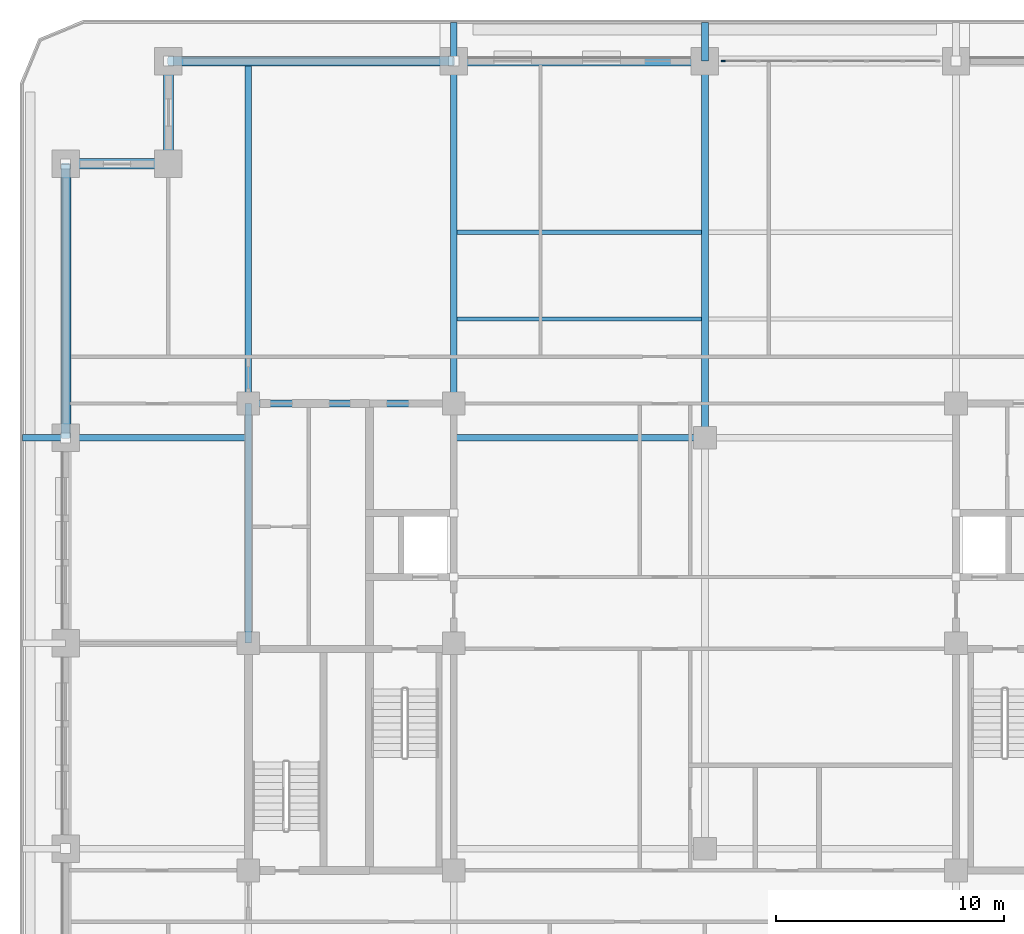
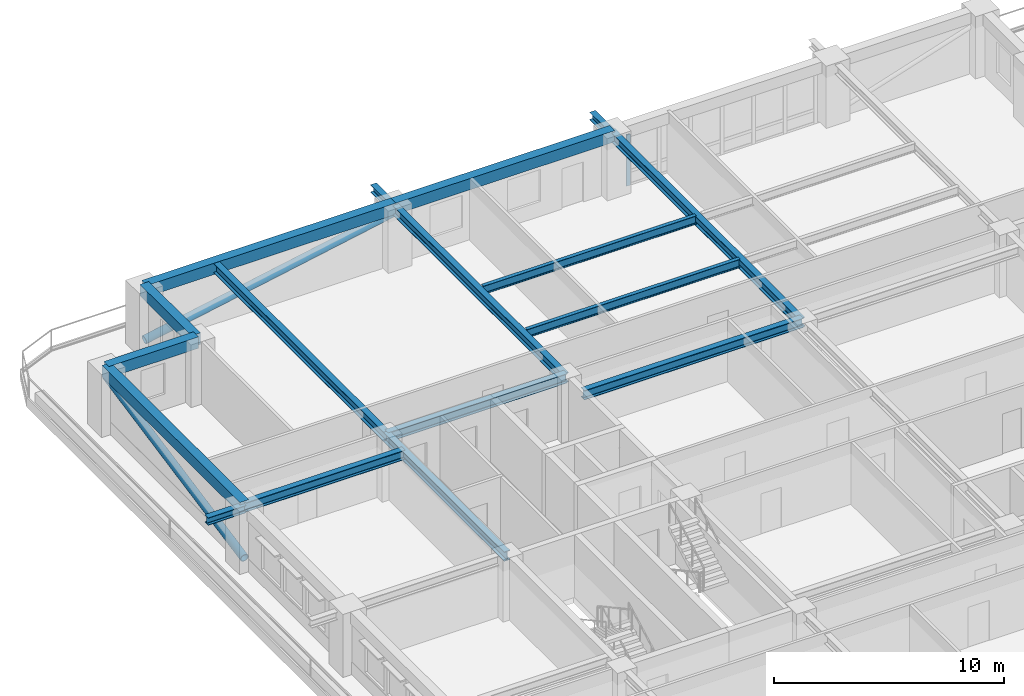
# One storey, part 5 of 20: 17 beams, 3 members, 1 element without a shape of its own.
"""IFC4 building model written with IfcOpenShell, lengths in metres."""

from ifc_helpers import new_model, si_unit, direction, frame, origin, origin_2d, place, context, subcontext, project, spatial, rectangle, hollow_circle, i_section, extrude, material, material_profile, profile_set, type_object, element, aggregate, save


model = new_model("IFC4")

# Units and contexts
model_context = context("Model", 3, precision=1e-05, world=origin(), true_north=direction((0.0, 1.0)))
body_context = subcontext(model_context, "Body", "Model", "MODEL_VIEW")
ifc_project = project(units=[si_unit("LENGTHUNIT", "METRE"), si_unit("AREAUNIT", "SQUARE_METRE"), si_unit("VOLUMEUNIT", "CUBIC_METRE"), si_unit("PLANEANGLEUNIT", "RADIAN"), si_unit("MASSUNIT", "GRAM", prefix="KILO")], contexts=[model_context])

# Site, building, storey
site_placement = place(None, origin())
site = spatial("IfcSite", under=ifc_project, at=site_placement, CompositionType="ELEMENT")
building_placement = place(site_placement, origin())
building = spatial("IfcBuilding", under=site, at=building_placement, Name="Zulmaris Gate Convention Tower", CompositionType="ELEMENT")
storey_placement = place(building_placement, frame((0.0, 0.0, 142.769775390625)))
storey = spatial("IfcBuildingStorey", under=building, at=storey_placement, Name="L36", CompositionType="ELEMENT", Elevation=142.769775390625)

# Beams
ifc_material_1 = material(Name="Steel S355", Category="steel")
ifc_material_profile_1 = material_profile(ifc_material_1, i_section(OverallWidth=0.300048828125, OverallDepth=0.39990234375, WebThickness=0.013427734375, FlangeThickness=0.02392578125, FilletRadius=0.027099609375, at=origin_2d()), Name="HEB 400")
ifc_profile_set_1 = profile_set([ifc_material_profile_1], Name="Steel S355")
beam_type_1 = type_object("IfcBeamType", Name="BM-HEB400", PredefinedType="BEAM", material=ifc_profile_set_1)
for number, where, z_axis, x_axis, name in (
    (1, (-11.0, 25.5, 2.97998046875), (0.0, 1.0, 0.0), (-1.0, 0.0, 0.0), "L36 Beam TBRK-L36-N--11"),
    (2, (0.0, 25.5, 2.97998046875), (0.0, 1.0, 0.0), (-1.0, 0.0, 0.0), "L36 Beam TBRK-L36-N-+0"),
):
    element("IfcBeam", number, at=place(storey_placement, frame(where, z_axis=z_axis, x_axis=x_axis)), inside=storey, type_object=beam_type_1, Name=name, PredefinedType="BEAM", context=body_context, shape_type="SweptSolid", body=[
        extrude(i_section(OverallWidth=0.300048828125, OverallDepth=0.39990234375, WebThickness=0.013427734375, FlangeThickness=0.02392578125, FilletRadius=0.027099609375, at=origin_2d()), origin(), (0.0, 0.0, 1.0), 1.699951171875),
    ])
beam_1_placement = place(storey_placement, frame((-29.89990234375, 9.0, 2.97998046875), z_axis=(1.0, 0.0, 0.0), x_axis=(0.0, 1.0, 0.0)))
element("IfcBeam", 3, at=beam_1_placement, inside=storey, type_object=beam_type_1, Name="L36 Beam TBRK-L36-W-+9", PredefinedType="BEAM", context=body_context, shape_type="SweptSolid", body=[
    extrude(i_section(OverallWidth=0.300048828125, OverallDepth=0.39990234375, WebThickness=0.013427734375, FlangeThickness=0.02392578125, FilletRadius=0.027099609375, at=origin_2d()), origin(), (0.0, 0.0, 1.0), 1.89990234375),
])
ifc_material_profile_2 = material_profile(ifc_material_1, i_section(OverallWidth=0.300048828125, OverallDepth=0.5, WebThickness=0.014404296875, FlangeThickness=0.028076171875, FilletRadius=0.027099609375, at=origin_2d()), Name="HEB 500")
ifc_profile_set_2 = profile_set([ifc_material_profile_2], Name="Steel S355")
beam_type_2 = type_object("IfcBeamType", Name="BM-HEB500", PredefinedType="BEAM", material=ifc_profile_set_2)
beam_2_placement = place(storey_placement, frame((-11.0, 9.0, 3.068115234375), z_axis=(1.0, 0.0, 0.0), x_axis=(0.0, 1.0, 0.0)))
element("IfcBeam", 4, at=beam_2_placement, inside=storey, type_object=beam_type_2, Name="L36 Beam BM-L36-G03", PredefinedType="BEAM", context=body_context, shape_type="SweptSolid", body=[
    extrude(i_section(OverallWidth=0.300048828125, OverallDepth=0.5, WebThickness=0.014404296875, FlangeThickness=0.028076171875, FilletRadius=0.027099609375, at=origin_2d()), origin(), (0.0, 0.0, 1.0), 11.0),
])
beam_3_placement = place(storey_placement, frame((0.0, 9.0, 2.992919921875), z_axis=(0.0, 1.0, 0.0), x_axis=(-1.0, 0.0, 0.0)))
element("IfcBeam", 5, at=beam_3_placement, inside=storey, type_object=beam_type_2, Name="L36 Beam BM-L36-G07", PredefinedType="BEAM", context=body_context, shape_type="SweptSolid", body=[
    extrude(i_section(OverallWidth=0.300048828125, OverallDepth=0.5, WebThickness=0.014404296875, FlangeThickness=0.028076171875, FilletRadius=0.027099609375, at=origin_2d()), origin(), (0.0, 0.0, 1.0), 16.5),
])
for number, where, z_axis, x_axis, name in (
    (6, (-11.0, 10.5, 2.992919921875), (0.0, 1.0, 0.0), (-1.0, 0.0, 0.0), "L36 Beam BM-L36-G09"),
    (7, (-20.0, 10.5, 3.068115234375), (0.0, 1.0, 0.0), (-1.0, 0.0, 0.0), "L36 Beam BM-L36-G13"),
):
    element("IfcBeam", number, at=place(storey_placement, frame(where, z_axis=z_axis, x_axis=x_axis)), inside=storey, type_object=beam_type_2, Name=name, PredefinedType="BEAM", context=body_context, shape_type="SweptSolid", body=[
        extrude(i_section(OverallWidth=0.300048828125, OverallDepth=0.5, WebThickness=0.014404296875, FlangeThickness=0.028076171875, FilletRadius=0.027099609375, at=origin_2d()), origin(), (0.0, 0.0, 1.0), 15.0),
    ])
beam_4_placement = place(storey_placement, frame((-28.0, 9.0, 3.068115234375), z_axis=(1.0, 0.0, 0.0), x_axis=(0.0, 1.0, 0.0)))
element("IfcBeam", 8, at=beam_4_placement, inside=storey, type_object=beam_type_2, Name="L36 Beam BM-L36-G18", PredefinedType="BEAM", context=body_context, shape_type="SweptSolid", body=[
    extrude(i_section(OverallWidth=0.300048828125, OverallDepth=0.5, WebThickness=0.014404296875, FlangeThickness=0.028076171875, FilletRadius=0.027099609375, at=origin_2d()), origin(), (0.0, 0.0, 1.0), 8.0),
])
beam_5_placement = place(storey_placement, frame((-20.0, 10.5, 3.068115234375), z_axis=(1.0, 0.0, 0.0), x_axis=(0.0, 1.0, 0.0)))
element("IfcBeam", 9, at=beam_5_placement, inside=storey, type_object=beam_type_2, Name="L36 Beam BM-L36-G23", PredefinedType="BEAM", context=body_context, shape_type="SweptSolid", body=[
    extrude(i_section(OverallWidth=0.300048828125, OverallDepth=0.5, WebThickness=0.014404296875, FlangeThickness=0.028076171875, FilletRadius=0.027099609375, at=origin_2d()), origin(), (0.0, 0.0, 1.0), 9.0),
])
beam_6_placement = place(storey_placement, frame((-20.0, 0.0, 3.068115234375), z_axis=(0.0, 1.0, 0.0), x_axis=(-1.0, 0.0, 0.0)))
element("IfcBeam", 10, at=beam_6_placement, inside=storey, type_object=beam_type_2, Name="L36 Beam BM-L36-G27", PredefinedType="BEAM", context=body_context, shape_type="SweptSolid", body=[
    extrude(i_section(OverallWidth=0.300048828125, OverallDepth=0.5, WebThickness=0.014404296875, FlangeThickness=0.028076171875, FilletRadius=0.027099609375, at=origin_2d()), origin(), (0.0, 0.0, 1.0), 10.5),
])
ifc_material_2 = material(Name="Precast concrete C50/60", Category="concrete")
ifc_material_profile_3 = material_profile(ifc_material_2, rectangle(XDim=0.449951171875, YDim=0.60009765625, at=origin_2d()), Name="RC SPANDREL 450x600")
ifc_profile_set_3 = profile_set([ifc_material_profile_3], Name="Precast concrete C50/60")
beam_type_3 = type_object("IfcBeamType", Name="BM-SP450x600", PredefinedType="SPANDREL", material=ifc_profile_set_3)
beam_7_placement = place(storey_placement, frame((0.0, 25.5, 3.02001953125), z_axis=(-1.0, 0.0, 0.0), x_axis=(0.0, -1.0, 0.0)))
element("IfcBeam", 11, at=beam_7_placement, inside=storey, type_object=beam_type_3, Name="L36 Spandrel SP-L36-15", PredefinedType="SPANDREL", context=body_context, shape_type="SweptSolid", body=[
    extrude(rectangle(XDim=0.449951171875, YDim=0.60009765625, at=origin_2d()), origin(), (0.0, 0.0, 1.0), 11.0),
])
beam_8_placement = place(storey_placement, frame((-11.0, 25.5, 3.02001953125), z_axis=(-1.0, 0.0, 0.0), x_axis=(0.0, -1.0, 0.0)))
element("IfcBeam", 12, at=beam_8_placement, inside=storey, type_object=beam_type_3, Name="L36 Spandrel SP-L36-16", PredefinedType="SPANDREL", context=body_context, shape_type="SweptSolid", body=[
    extrude(rectangle(XDim=0.449951171875, YDim=0.60009765625, at=origin_2d()), origin(), (0.0, 0.0, 1.0), 12.5),
])
for number, where, z_axis, x_axis, name in (
    (13, (-23.5, 25.5, 3.02001953125), (0.0, -1.0, 0.0), (1.0, 0.0, 0.0), "L36 Spandrel SP-L36-17"),
    (14, (-23.5, 21.0, 3.02001953125), (-1.0, 0.0, 0.0), (0.0, -1.0, 0.0), "L36 Spandrel SP-L36-18"),
):
    element("IfcBeam", number, at=place(storey_placement, frame(where, z_axis=z_axis, x_axis=x_axis)), inside=storey, type_object=beam_type_3, Name=name, PredefinedType="SPANDREL", context=body_context, shape_type="SweptSolid", body=[
        extrude(rectangle(XDim=0.449951171875, YDim=0.60009765625, at=origin_2d()), origin(), (0.0, 0.0, 1.0), 4.5),
    ])
beam_9_placement = place(storey_placement, frame((-28.0, 21.0, 3.02001953125), z_axis=(0.0, -1.0, 0.0), x_axis=(1.0, 0.0, 0.0)))
element("IfcBeam", 15, at=beam_9_placement, inside=storey, type_object=beam_type_3, Name="L36 Spandrel SP-L36-19", PredefinedType="SPANDREL", context=body_context, shape_type="SweptSolid", body=[
    extrude(rectangle(XDim=0.449951171875, YDim=0.60009765625, at=origin_2d()), origin(), (0.0, 0.0, 1.0), 12.0),
])

# Members
ifc_material_3 = material(Name="Steel S460", Category="steel")
ifc_material_profile_4 = material_profile(ifc_material_3, hollow_circle(Radius=0.203125, WallThickness=0.02001953125, at=origin_2d()), Name="CHS 406.4x20")
ifc_profile_set_4 = profile_set([ifc_material_profile_4], Name="Steel S460")
member_type_1 = type_object("IfcMemberType", Name="BR-CHS406", PredefinedType="BRACE", material=ifc_profile_set_4)
member_1_placement = place(storey_placement, frame((-28.0, 9.0, 0.300048828125), z_axis=(0.0, 0.980582210276, 0.196108462057), x_axis=(-1.0, 0.0, 0.0)))
element("IfcMember", 16, at=member_1_placement, inside=storey, type_object=member_type_1, Name="L36 Perimeter Tube Diagonal NW-W", PredefinedType="BRACE", context=body_context, shape_type="SweptSolid", body=[
    extrude(hollow_circle(Radius=0.203125, WallThickness=0.02001953125, at=origin_2d()), origin(), (0.0, 0.0, 1.0), 12.237548828125),
])
member_2_placement = place(storey_placement, frame((-23.5, 25.5, 0.300048828125), z_axis=(0.982063862241, 0.0, 0.188548589176), x_axis=(0.0, 1.0, 0.0)))
element("IfcMember", 17, at=member_2_placement, inside=storey, type_object=member_type_1, Name="L36 Perimeter Tube Diagonal NW-N", PredefinedType="BRACE", context=body_context, shape_type="SweptSolid", body=[
    extrude(hollow_circle(Radius=0.203125, WallThickness=0.02001953125, at=origin_2d()), origin(), (0.0, 0.0, 1.0), 12.728271484375),
])

# Curtain wall, member
ifc_material_4 = material(Name="Anodised Aluminium", Category="aluminium")
curtain_wall_type = type_object("IfcCurtainWallType", Name="CW-06", PredefinedType="NOTDEFINED", material=ifc_material_4)
curtain_wall_placement = place(storey_placement, origin())
curtain_wall = element("IfcCurtainWall", 18, at=curtain_wall_placement, inside=storey, type_object=curtain_wall_type, Name="CW-06 CW06-L36-N-2_0", PredefinedType="NOTDEFINED")
ifc_material_profile_5 = material_profile(ifc_material_4, rectangle(XDim=0.074951171875, YDim=0.179931640625, at=origin_2d()), Name="ALU MULLION 75x180")
ifc_profile_set_5 = profile_set([ifc_material_profile_5], Name="Anodised Aluminium")
member_type_2 = type_object("IfcMemberType", Name="CW-06-MULL", PredefinedType="MULLION", material=ifc_profile_set_5)
member_3_placement = place(storey_placement, frame((0.797607421875, 25.5, 0.0), z_axis=(0.0, 0.0, 1.0), x_axis=(0.0, -1.0, 0.0)))
member_3 = element("IfcMember", 19, at=member_3_placement, type_object=member_type_2, Name="CW-06 mullion 7", PredefinedType="MULLION", context=body_context, shape_type="SweptSolid", body=[
    extrude(rectangle(XDim=0.074951171875, YDim=0.179931640625, at=origin_2d()), origin(), (0.0, 0.0, 1.0), 2.7119140625),
])
aggregate(curtain_wall, [member_3])

# Beams
ifc_material_profile_6 = material_profile(ifc_material_1, i_section(OverallWidth=0.18994140625, OverallDepth=0.449951171875, WebThickness=0.009521484375, FlangeThickness=0.0146484375, FilletRadius=0.02099609375, at=origin_2d()), Name="IPE 450")
ifc_profile_set_6 = profile_set([ifc_material_profile_6], Name="Steel S355")
beam_type_4 = type_object("IfcBeamType", Name="JT-IPE450", PredefinedType="JOIST", material=ifc_profile_set_6)
for number, where, z_axis, x_axis, name in (
    (20, (-10.85009765625, 14.199951171875, 3.093017578125), (1.0, 0.0, 0.0), (0.0, 1.0, 0.0), "L36 Joist JT-L36-CW-+14.2"),
    (21, (-10.85009765625, 18.0, 3.093017578125), (1.0, 0.0, 0.0), (0.0, 1.0, 0.0), "L36 Joist JT-L36-CW-+18.0"),
):
    element("IfcBeam", number, at=place(storey_placement, frame(where, z_axis=z_axis, x_axis=x_axis)), inside=storey, type_object=beam_type_4, Name=name, PredefinedType="JOIST", context=body_context, shape_type="SweptSolid", body=[
        extrude(i_section(OverallWidth=0.18994140625, OverallDepth=0.449951171875, WebThickness=0.009521484375, FlangeThickness=0.0146484375, FilletRadius=0.02099609375, at=origin_2d()), origin(), (0.0, 0.0, 1.0), 10.7001953125),
    ])

save(model, "model.ifc")
